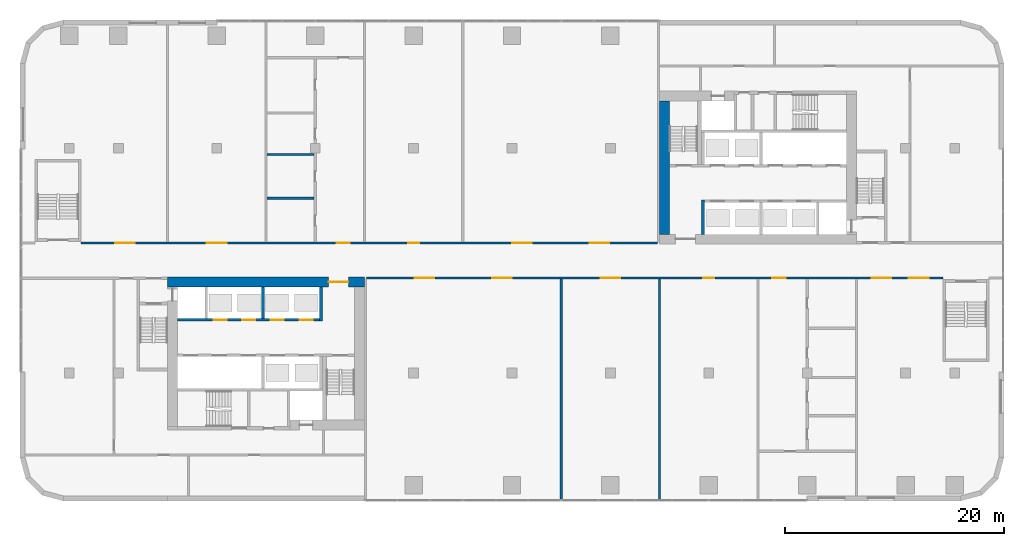
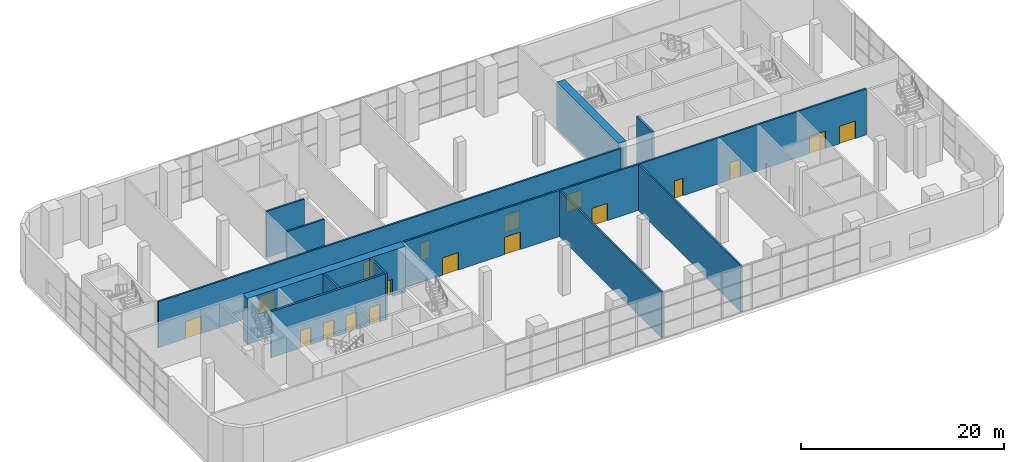
# One storey, part 13 of 27: 18 doors, 12 walls, 18 openings.
"""IFC4 building model written with IfcOpenShell, lengths in metres."""

from ifc_helpers import new_model, si_unit, direction, frame, frame_2d, origin, place, context, subcontext, project, spatial, rectangle, extrude, material, layer, layer_set, type_object, element, fill, save


model = new_model("IFC4")

# Units and contexts
model_context = context("Model", 3, precision=1e-05, world=origin(), true_north=direction((0.0, 1.0)))
body_context = subcontext(model_context, "Body", "Model", "MODEL_VIEW")
ifc_project = project(units=[si_unit("LENGTHUNIT", "METRE"), si_unit("AREAUNIT", "SQUARE_METRE"), si_unit("VOLUMEUNIT", "CUBIC_METRE"), si_unit("PLANEANGLEUNIT", "RADIAN"), si_unit("MASSUNIT", "GRAM", prefix="KILO")], contexts=[model_context])

# Site, building, storey
site_placement = place(None, origin())
site = spatial("IfcSite", under=ifc_project, at=site_placement, CompositionType="ELEMENT")
building_placement = place(site_placement, origin())
building = spatial("IfcBuilding", under=site, at=building_placement, Name="Kajstack Hotel Tower", CompositionType="ELEMENT")
storey_placement = place(building_placement, frame((0.0, 0.0, 11.0)))
storey = spatial("IfcBuildingStorey", under=building, at=storey_placement, Name="L01", CompositionType="ELEMENT", Elevation=11.0)

# Wall, opening, door
ifc_material_1 = material(Name="Concrete C60/75", Category="concrete")
ifc_layer_1 = layer(ifc_material_1, 0.89990234375)
ifc_layer_set_1 = layer_set([ifc_layer_1], Name="Core wall 900")
wall_type_1 = type_object("IfcWallType", Name="Core wall 900", PredefinedType="SHEAR", material=ifc_layer_set_1)
wall_1_placement = place(storey_placement, frame((-31.5, -1.949951171875, 0.0), z_axis=(0.0, 0.0, 1.0), x_axis=(1.0, 0.0, 0.0)))
wall_1 = element("IfcWall", 1, at=wall_1_placement, inside=storey, type_object=wall_type_1, Name="Core wall W RN", PredefinedType="SHEAR", context=body_context, shape_type="SweptSolid", body=[
    extrude(rectangle(XDim=18.0, YDim=0.89990234375, at=frame_2d((9.0, 0.0))), origin(), (0.0, 0.0, 1.0), 5.550048828125),
])
opening_1_placement = place(wall_1_placement, frame((14.72509765625, 0.0, 0.0)))
opening_1 = element("IfcOpeningElement", 2, at=opening_1_placement, cuts=wall_1, Name="Opening 01W12", PredefinedType="OPENING", context=body_context, shape_type="SweptSolid", body=[
    extrude(rectangle(XDim=1.800048828125, YDim=2.10009765625, at=frame_2d((0.89990234375, 1.050048828125))), frame((0.0, 0.4599609375, 0.0), z_axis=(0.0, -1.0, 0.0), x_axis=(1.0, 0.0, 0.0)), (0.0, 0.0, 1.0), 0.919921875),
])
ifc_material_2 = material(Name="Glazed steel frame, fire-rated glass", Category="steel")
door_type_1 = type_object("IfcDoorType", Name="Lobby double door 1800", OperationType="DOUBLE_DOOR_DOUBLE_SWING", PredefinedType="DOOR", material=ifc_material_2)
door_1_placement = place(opening_1_placement, origin())
door_1 = element("IfcDoor", 3, at=door_1_placement, inside=storey, type_object=door_type_1, Name="Door 01W12", OperationType="DOUBLE_DOOR_DOUBLE_SWING", OverallHeight=2.10009765625, OverallWidth=1.800048828125, PredefinedType="DOOR", context=body_context, shape_type="SweptSolid", body=[
    extrude(rectangle(XDim=1.800048828125, YDim=2.10009765625, at=frame_2d((0.89990234375, 1.050048828125))), frame((0.0, 0.02490234375, 0.0), z_axis=(0.0, -1.0, 0.0), x_axis=(1.0, 0.0, 0.0)), (0.0, 0.0, 1.0), 0.050048828125),
])
fill(opening_1, door_1)

# Walls
wall_2_placement = place(storey_placement, frame((13.949951171875, 2.39990234375, 0.0), z_axis=(0.0, 0.0, 1.0), x_axis=(0.0, 1.0, 0.0)))
element("IfcWall", 4, at=wall_2_placement, inside=storey, type_object=wall_type_1, Name="Core wall E RE", PredefinedType="SHEAR", context=body_context, shape_type="SweptSolid", body=[
    extrude(rectangle(XDim=12.2001953125, YDim=0.89990234375, at=frame_2d((6.10009765625, 0.0))), origin(), (0.0, 0.0, 1.0), 5.550048828125),
])
ifc_material_3 = material(Name="Concrete C50/60", Category="concrete")
ifc_layer_2 = layer(ifc_material_3, 0.300048828125)
ifc_layer_set_2 = layer_set([ifc_layer_2], Name="Hoistway divider wall 300")
wall_type_2 = type_object("IfcWallType", Name="Hoistway divider wall 300", PredefinedType="SHEAR", material=ifc_layer_set_2)
wall_3_placement = place(storey_placement, frame((-22.77490234375, -5.300048828125, 0.0), z_axis=(0.0, 0.0, 1.0), x_axis=(0.0, 1.0, 0.0)))
element("IfcWall", 5, at=wall_3_placement, inside=storey, type_object=wall_type_2, Name="Core wall W AP2", PredefinedType="SHEAR", context=body_context, shape_type="SweptSolid", body=[
    extrude(rectangle(XDim=2.900146484375, YDim=0.25, at=frame_2d((1.4501953125, 0.0))), origin(), (0.0, 0.0, 1.0), 5.550048828125),
])
ifc_material_4 = material(Name="Gypsum board on steel studs, mineral wool", Category="steel")
ifc_layer_3 = layer(ifc_material_4, 0.199951171875)
ifc_layer_set_3 = layer_set([ifc_layer_3], Name="Public partition 200")
wall_type_3 = type_object("IfcWallType", Name="Public partition 200", PredefinedType="PARTITIONING", material=ifc_layer_set_3)
for number, where, z_axis, x_axis, name in (
    (6, (-22.39990234375, 5.699951171875, 0.0), (0.0, 0.0, 1.0), (1.0, 0.0, 0.0), "Partition C2wP0"),
    (7, (-22.39990234375, 9.699951171875, 0.0), (0.0, 0.0, 1.0), (1.0, 0.0, 0.0), "Partition C2wP1"),
):
    element("IfcWall", number, at=place(storey_placement, frame(where, z_axis=z_axis, x_axis=x_axis)), inside=storey, type_object=wall_type_3, Name=name, PredefinedType="PARTITIONING", context=body_context, shape_type="SweptSolid", body=[
        extrude(rectangle(XDim=4.2998046875, YDim=0.199951171875, at=frame_2d((2.14990234375, 0.0))), origin(), (0.0, 0.0, 1.0), 5.550048828125),
    ])

# Wall, openings, doors
wall_4_placement = place(storey_placement, frame((-39.39990234375, 1.60009765625, 0.0), z_axis=(0.0, 0.0, 1.0), x_axis=(1.0, 0.0, 0.0)))
wall_4 = element("IfcWall", 8, at=wall_4_placement, inside=storey, type_object=wall_type_3, Name="Partition FW", PredefinedType="PARTITIONING", context=body_context, shape_type="SweptSolid", body=[
    extrude(rectangle(XDim=52.699951171875, YDim=0.199951171875, at=frame_2d((26.35009765625, 0.0))), origin(), (0.0, 0.0, 1.0), 5.550048828125),
])
opening_2_placement = place(wall_4_placement, frame((46.489990234375, 0.0, 0.0)))
opening_2 = element("IfcOpeningElement", 9, at=opening_2_placement, cuts=wall_4, Name="Opening 01P01", PredefinedType="OPENING", context=body_context, shape_type="SweptSolid", body=[
    extrude(rectangle(XDim=1.800048828125, YDim=2.10009765625, at=frame_2d((0.89990234375, 1.050048828125))), frame((0.0, 0.10986328125, 0.0), z_axis=(0.0, -1.0, 0.0), x_axis=(1.0, 0.0, 0.0)), (0.0, 0.0, 1.0), 0.219970703125),
])
opening_3_placement = place(wall_4_placement, frame((39.409912109375, 0.0, 0.0)))
opening_3 = element("IfcOpeningElement", 10, at=opening_3_placement, cuts=wall_4, Name="Opening 01P02", PredefinedType="OPENING", context=body_context, shape_type="SweptSolid", body=[
    extrude(rectangle(XDim=1.800048828125, YDim=2.10009765625, at=frame_2d((0.89990234375, 1.050048828125))), frame((0.0, 0.10986328125, 0.0), z_axis=(0.0, -1.0, 0.0), x_axis=(1.0, 0.0, 0.0)), (0.0, 0.0, 1.0), 0.219970703125),
])
opening_4_placement = place(wall_4_placement, frame((29.89990234375, 0.0, 0.0)))
opening_4 = element("IfcOpeningElement", 11, at=opening_4_placement, cuts=wall_4, Name="Opening 01P03", PredefinedType="OPENING", context=body_context, shape_type="SweptSolid", body=[
    extrude(rectangle(XDim=1.0, YDim=2.10009765625, at=frame_2d((0.5, 1.050048828125))), frame((0.0, 0.10986328125, 0.0), z_axis=(0.0, -1.0, 0.0), x_axis=(1.0, 0.0, 0.0)), (0.0, 0.0, 1.0), 0.219970703125),
])
opening_5_placement = place(wall_4_placement, frame((23.375, 0.0, 0.0)))
opening_5 = element("IfcOpeningElement", 12, at=opening_5_placement, cuts=wall_4, Name="Opening 01P04", PredefinedType="OPENING", context=body_context, shape_type="SweptSolid", body=[
    extrude(rectangle(XDim=1.199951171875, YDim=2.10009765625, at=frame_2d((0.60009765625, 1.050048828125))), frame((0.0, 0.10986328125, 0.0), z_axis=(0.0, -1.0, 0.0), x_axis=(1.0, 0.0, 0.0)), (0.0, 0.0, 1.0), 0.219970703125),
])
opening_6_placement = place(wall_4_placement, frame((11.5, 0.0, 0.0)))
opening_6 = element("IfcOpeningElement", 13, at=opening_6_placement, cuts=wall_4, Name="Opening 01P10", PredefinedType="OPENING", context=body_context, shape_type="SweptSolid", body=[
    extrude(rectangle(XDim=1.800048828125, YDim=2.10009765625, at=frame_2d((0.89990234375, 1.050048828125))), frame((0.0, 0.10986328125, 0.0), z_axis=(0.0, -1.0, 0.0), x_axis=(1.0, 0.0, 0.0)), (0.0, 0.0, 1.0), 0.219970703125),
])
opening_7_placement = place(wall_4_placement, frame((3.10009765625, 0.0, 0.0)))
opening_7 = element("IfcOpeningElement", 14, at=opening_7_placement, cuts=wall_4, Name="Opening 01P11", PredefinedType="OPENING", context=body_context, shape_type="SweptSolid", body=[
    extrude(rectangle(XDim=1.800048828125, YDim=2.10009765625, at=frame_2d((0.89990234375, 1.050048828125))), frame((0.0, 0.10986328125, 0.0), z_axis=(0.0, -1.0, 0.0), x_axis=(1.0, 0.0, 0.0)), (0.0, 0.0, 1.0), 0.219970703125),
])
ifc_material_5 = material(Name="Timber leaf, fire-rated", Category="wood")
door_type_2 = type_object("IfcDoorType", Name="Public corridor door 1200", OperationType="SINGLE_SWING_LEFT", PredefinedType="DOOR", material=ifc_material_5)
door_2_placement = place(opening_5_placement, origin())
door_2 = element("IfcDoor", 15, at=door_2_placement, inside=storey, type_object=door_type_2, Name="Door 01P04", OperationType="SINGLE_SWING_LEFT", OverallHeight=2.10009765625, OverallWidth=1.199951171875, PredefinedType="DOOR", context=body_context, shape_type="SweptSolid", body=[
    extrude(rectangle(XDim=1.199951171875, YDim=2.10009765625, at=frame_2d((0.60009765625, 1.050048828125))), frame((0.0, 0.02490234375, 0.0), z_axis=(0.0, -1.0, 0.0), x_axis=(1.0, 0.0, 0.0)), (0.0, 0.0, 1.0), 0.050048828125),
])
fill(opening_5, door_2)
ifc_material_6 = material(Name="Glazed timber frame, fire-rated glass", Category="wood")
door_type_3 = type_object("IfcDoorType", Name="Public double door 1800", OperationType="DOUBLE_DOOR_DOUBLE_SWING", PredefinedType="DOOR", material=ifc_material_6)
door_3_placement = place(opening_2_placement, origin())
door_3 = element("IfcDoor", 16, at=door_3_placement, inside=storey, type_object=door_type_3, Name="Door 01P01", OperationType="DOUBLE_DOOR_DOUBLE_SWING", OverallHeight=2.10009765625, OverallWidth=1.800048828125, PredefinedType="DOOR", context=body_context, shape_type="SweptSolid", body=[
    extrude(rectangle(XDim=1.800048828125, YDim=2.10009765625, at=frame_2d((0.89990234375, 1.050048828125))), frame((0.0, 0.02490234375, 0.0), z_axis=(0.0, -1.0, 0.0), x_axis=(1.0, 0.0, 0.0)), (0.0, 0.0, 1.0), 0.050048828125),
])
fill(opening_2, door_3)
door_4_placement = place(opening_3_placement, origin())
door_4 = element("IfcDoor", 17, at=door_4_placement, inside=storey, type_object=door_type_3, Name="Door 01P02", OperationType="DOUBLE_DOOR_DOUBLE_SWING", OverallHeight=2.10009765625, OverallWidth=1.800048828125, PredefinedType="DOOR", context=body_context, shape_type="SweptSolid", body=[
    extrude(rectangle(XDim=1.800048828125, YDim=2.10009765625, at=frame_2d((0.89990234375, 1.050048828125))), frame((0.0, 0.02490234375, 0.0), z_axis=(0.0, -1.0, 0.0), x_axis=(1.0, 0.0, 0.0)), (0.0, 0.0, 1.0), 0.050048828125),
])
fill(opening_3, door_4)
door_5_placement = place(opening_6_placement, origin())
door_5 = element("IfcDoor", 18, at=door_5_placement, inside=storey, type_object=door_type_3, Name="Door 01P10", OperationType="DOUBLE_DOOR_DOUBLE_SWING", OverallHeight=2.10009765625, OverallWidth=1.800048828125, PredefinedType="DOOR", context=body_context, shape_type="SweptSolid", body=[
    extrude(rectangle(XDim=1.800048828125, YDim=2.10009765625, at=frame_2d((0.89990234375, 1.050048828125))), frame((0.0, 0.02490234375, 0.0), z_axis=(0.0, -1.0, 0.0), x_axis=(1.0, 0.0, 0.0)), (0.0, 0.0, 1.0), 0.050048828125),
])
fill(opening_6, door_5)
door_6_placement = place(opening_7_placement, origin())
door_6 = element("IfcDoor", 19, at=door_6_placement, inside=storey, type_object=door_type_3, Name="Door 01P11", OperationType="DOUBLE_DOOR_DOUBLE_SWING", OverallHeight=2.10009765625, OverallWidth=1.800048828125, PredefinedType="DOOR", context=body_context, shape_type="SweptSolid", body=[
    extrude(rectangle(XDim=1.800048828125, YDim=2.10009765625, at=frame_2d((0.89990234375, 1.050048828125))), frame((0.0, 0.02490234375, 0.0), z_axis=(0.0, -1.0, 0.0), x_axis=(1.0, 0.0, 0.0)), (0.0, 0.0, 1.0), 0.050048828125),
])
fill(opening_7, door_6)
ifc_material_7 = material(Name="Timber leaf", Category="wood")
door_type_4 = type_object("IfcDoorType", Name="Public room door 1000", OperationType="SINGLE_SWING_LEFT", PredefinedType="DOOR", material=ifc_material_7)
door_7_placement = place(opening_4_placement, origin())
door_7 = element("IfcDoor", 20, at=door_7_placement, inside=storey, type_object=door_type_4, Name="Door 01P03", OperationType="SINGLE_SWING_LEFT", OverallHeight=2.10009765625, OverallWidth=1.0, PredefinedType="DOOR", context=body_context, shape_type="SweptSolid", body=[
    extrude(rectangle(XDim=1.0, YDim=2.10009765625, at=frame_2d((0.5, 1.050048828125))), frame((0.0, 0.02490234375, 0.0), z_axis=(0.0, -1.0, 0.0), x_axis=(1.0, 0.0, 0.0)), (0.0, 0.0, 1.0), 0.050048828125),
])
fill(opening_4, door_7)

# Walls
for number, where, z_axis, x_axis, name in (
    (21, (4.5, -21.85009765625, 0.0), (0.0, 0.0, 1.0), (0.0, 1.0, 0.0), "Partition SPX0"),
    (22, (13.5, -21.85009765625, 0.0), (0.0, 0.0, 1.0), (0.0, 1.0, 0.0), "Partition SPX1"),
):
    element("IfcWall", number, at=place(storey_placement, frame(where, z_axis=z_axis, x_axis=x_axis)), inside=storey, type_object=wall_type_3, Name=name, PredefinedType="PARTITIONING", context=body_context, shape_type="SweptSolid", body=[
        extrude(rectangle(XDim=20.150146484375, YDim=0.199951171875, at=frame_2d((10.0751953125, 0.0))), origin(), (0.0, 0.0, 1.0), 5.550048828125),
    ])

# Wall, openings, doors
wall_5_placement = place(storey_placement, frame((-13.300048828125, -1.60009765625, 0.0), z_axis=(0.0, 0.0, 1.0), x_axis=(1.0, 0.0, 0.0)))
wall_5 = element("IfcWall", 23, at=wall_5_placement, inside=storey, type_object=wall_type_3, Name="Partition SFW", PredefinedType="PARTITIONING", context=body_context, shape_type="SweptSolid", body=[
    extrude(rectangle(XDim=52.699951171875, YDim=0.199951171875, at=frame_2d((26.35009765625, 0.0))), origin(), (0.0, 0.0, 1.0), 5.550048828125),
])
opening_8_placement = place(wall_5_placement, frame((4.409912109375, 0.0, 0.0)))
opening_8 = element("IfcOpeningElement", 24, at=opening_8_placement, cuts=wall_5, Name="Opening 01P12", PredefinedType="OPENING", context=body_context, shape_type="SweptSolid", body=[
    extrude(rectangle(XDim=1.800048828125, YDim=2.10009765625, at=frame_2d((0.89990234375, 1.050048828125))), frame((0.0, 0.10986328125, 0.0), z_axis=(0.0, -1.0, 0.0), x_axis=(1.0, 0.0, 0.0)), (0.0, 0.0, 1.0), 0.219970703125),
])
opening_9_placement = place(wall_5_placement, frame((11.489990234375, 0.0, 0.0)))
opening_9 = element("IfcOpeningElement", 25, at=opening_9_placement, cuts=wall_5, Name="Opening 01P13", PredefinedType="OPENING", context=body_context, shape_type="SweptSolid", body=[
    extrude(rectangle(XDim=1.800048828125, YDim=2.10009765625, at=frame_2d((0.89990234375, 1.050048828125))), frame((0.0, 0.10986328125, 0.0), z_axis=(0.0, -1.0, 0.0), x_axis=(1.0, 0.0, 0.0)), (0.0, 0.0, 1.0), 0.219970703125),
])
opening_10_placement = place(wall_5_placement, frame((21.39990234375, 0.0, 0.0)))
opening_10 = element("IfcOpeningElement", 26, at=opening_10_placement, cuts=wall_5, Name="Opening 01P14", PredefinedType="OPENING", context=body_context, shape_type="SweptSolid", body=[
    extrude(rectangle(XDim=1.800048828125, YDim=2.10009765625, at=frame_2d((0.89990234375, 1.050048828125))), frame((0.0, 0.10986328125, 0.0), z_axis=(0.0, -1.0, 0.0), x_axis=(1.0, 0.0, 0.0)), (0.0, 0.0, 1.0), 0.219970703125),
])
opening_11_placement = place(wall_5_placement, frame((30.800048828125, 0.0, 0.0)))
opening_11 = element("IfcOpeningElement", 27, at=opening_11_placement, cuts=wall_5, Name="Opening 01P15", PredefinedType="OPENING", context=body_context, shape_type="SweptSolid", body=[
    extrude(rectangle(XDim=1.0, YDim=2.10009765625, at=frame_2d((0.5, 1.050048828125))), frame((0.0, 0.10986328125, 0.0), z_axis=(0.0, -1.0, 0.0), x_axis=(1.0, 0.0, 0.0)), (0.0, 0.0, 1.0), 0.219970703125),
])
opening_12_placement = place(wall_5_placement, frame((37.125, 0.0, 0.0)))
opening_12 = element("IfcOpeningElement", 28, at=opening_12_placement, cuts=wall_5, Name="Opening 01P16", PredefinedType="OPENING", context=body_context, shape_type="SweptSolid", body=[
    extrude(rectangle(XDim=1.199951171875, YDim=2.10009765625, at=frame_2d((0.60009765625, 1.050048828125))), frame((0.0, 0.10986328125, 0.0), z_axis=(0.0, -1.0, 0.0), x_axis=(1.0, 0.0, 0.0)), (0.0, 0.0, 1.0), 0.219970703125),
])
opening_13_placement = place(wall_5_placement, frame((46.199951171875, 0.0, 0.0)))
opening_13 = element("IfcOpeningElement", 29, at=opening_13_placement, cuts=wall_5, Name="Opening 01P22", PredefinedType="OPENING", context=body_context, shape_type="SweptSolid", body=[
    extrude(rectangle(XDim=1.800048828125, YDim=2.10009765625, at=frame_2d((0.89990234375, 1.050048828125))), frame((0.0, 0.10986328125, 0.0), z_axis=(0.0, -1.0, 0.0), x_axis=(1.0, 0.0, 0.0)), (0.0, 0.0, 1.0), 0.219970703125),
])
opening_14_placement = place(wall_5_placement, frame((49.60009765625, 0.0, 0.0)))
opening_14 = element("IfcOpeningElement", 30, at=opening_14_placement, cuts=wall_5, Name="Opening 01P23", PredefinedType="OPENING", context=body_context, shape_type="SweptSolid", body=[
    extrude(rectangle(XDim=1.800048828125, YDim=2.10009765625, at=frame_2d((0.89990234375, 1.050048828125))), frame((0.0, 0.10986328125, 0.0), z_axis=(0.0, -1.0, 0.0), x_axis=(1.0, 0.0, 0.0)), (0.0, 0.0, 1.0), 0.219970703125),
])
door_8_placement = place(opening_12_placement, origin())
door_8 = element("IfcDoor", 31, at=door_8_placement, inside=storey, type_object=door_type_2, Name="Door 01P16", OperationType="SINGLE_SWING_RIGHT", OverallHeight=2.10009765625, OverallWidth=1.199951171875, PredefinedType="DOOR", context=body_context, shape_type="SweptSolid", body=[
    extrude(rectangle(XDim=1.199951171875, YDim=2.10009765625, at=frame_2d((0.60009765625, 1.050048828125))), frame((0.0, 0.02490234375, 0.0), z_axis=(0.0, -1.0, 0.0), x_axis=(1.0, 0.0, 0.0)), (0.0, 0.0, 1.0), 0.050048828125),
])
fill(opening_12, door_8)
door_9_placement = place(opening_8_placement, origin())
door_9 = element("IfcDoor", 32, at=door_9_placement, inside=storey, type_object=door_type_3, Name="Door 01P12", OperationType="DOUBLE_DOOR_DOUBLE_SWING", OverallHeight=2.10009765625, OverallWidth=1.800048828125, PredefinedType="DOOR", context=body_context, shape_type="SweptSolid", body=[
    extrude(rectangle(XDim=1.800048828125, YDim=2.10009765625, at=frame_2d((0.89990234375, 1.050048828125))), frame((0.0, 0.02490234375, 0.0), z_axis=(0.0, -1.0, 0.0), x_axis=(1.0, 0.0, 0.0)), (0.0, 0.0, 1.0), 0.050048828125),
])
fill(opening_8, door_9)
door_10_placement = place(opening_9_placement, origin())
door_10 = element("IfcDoor", 33, at=door_10_placement, inside=storey, type_object=door_type_3, Name="Door 01P13", OperationType="DOUBLE_DOOR_DOUBLE_SWING", OverallHeight=2.10009765625, OverallWidth=1.800048828125, PredefinedType="DOOR", context=body_context, shape_type="SweptSolid", body=[
    extrude(rectangle(XDim=1.800048828125, YDim=2.10009765625, at=frame_2d((0.89990234375, 1.050048828125))), frame((0.0, 0.02490234375, 0.0), z_axis=(0.0, -1.0, 0.0), x_axis=(1.0, 0.0, 0.0)), (0.0, 0.0, 1.0), 0.050048828125),
])
fill(opening_9, door_10)
door_11_placement = place(opening_10_placement, origin())
door_11 = element("IfcDoor", 34, at=door_11_placement, inside=storey, type_object=door_type_3, Name="Door 01P14", OperationType="DOUBLE_DOOR_DOUBLE_SWING", OverallHeight=2.10009765625, OverallWidth=1.800048828125, PredefinedType="DOOR", context=body_context, shape_type="SweptSolid", body=[
    extrude(rectangle(XDim=1.800048828125, YDim=2.10009765625, at=frame_2d((0.89990234375, 1.050048828125))), frame((0.0, 0.02490234375, 0.0), z_axis=(0.0, -1.0, 0.0), x_axis=(1.0, 0.0, 0.0)), (0.0, 0.0, 1.0), 0.050048828125),
])
fill(opening_10, door_11)
door_12_placement = place(opening_13_placement, origin())
door_12 = element("IfcDoor", 35, at=door_12_placement, inside=storey, type_object=door_type_3, Name="Door 01P22", OperationType="DOUBLE_DOOR_DOUBLE_SWING", OverallHeight=2.10009765625, OverallWidth=1.800048828125, PredefinedType="DOOR", context=body_context, shape_type="SweptSolid", body=[
    extrude(rectangle(XDim=1.800048828125, YDim=2.10009765625, at=frame_2d((0.89990234375, 1.050048828125))), frame((0.0, 0.02490234375, 0.0), z_axis=(0.0, -1.0, 0.0), x_axis=(1.0, 0.0, 0.0)), (0.0, 0.0, 1.0), 0.050048828125),
])
fill(opening_13, door_12)
door_13_placement = place(opening_14_placement, origin())
door_13 = element("IfcDoor", 36, at=door_13_placement, inside=storey, type_object=door_type_3, Name="Door 01P23", OperationType="DOUBLE_DOOR_DOUBLE_SWING", OverallHeight=2.10009765625, OverallWidth=1.800048828125, PredefinedType="DOOR", context=body_context, shape_type="SweptSolid", body=[
    extrude(rectangle(XDim=1.800048828125, YDim=2.10009765625, at=frame_2d((0.89990234375, 1.050048828125))), frame((0.0, 0.02490234375, 0.0), z_axis=(0.0, -1.0, 0.0), x_axis=(1.0, 0.0, 0.0)), (0.0, 0.0, 1.0), 0.050048828125),
])
fill(opening_14, door_13)
door_14_placement = place(opening_11_placement, origin())
door_14 = element("IfcDoor", 37, at=door_14_placement, inside=storey, type_object=door_type_4, Name="Door 01P15", OperationType="SINGLE_SWING_RIGHT", OverallHeight=2.10009765625, OverallWidth=1.0, PredefinedType="DOOR", context=body_context, shape_type="SweptSolid", body=[
    extrude(rectangle(XDim=1.0, YDim=2.10009765625, at=frame_2d((0.5, 1.050048828125))), frame((0.0, 0.02490234375, 0.0), z_axis=(0.0, -1.0, 0.0), x_axis=(1.0, 0.0, 0.0)), (0.0, 0.0, 1.0), 0.050048828125),
])
fill(opening_11, door_14)

ifc_layer_4 = layer(ifc_material_3, 0.25)
ifc_layer_set_4 = layer_set([ifc_layer_4], Name="Shaft wall 250")
wall_type_4 = type_object("IfcWallType", Name="Shaft wall 250", PredefinedType="SHEAR", material=ifc_layer_set_4)
wall_6_placement = place(storey_placement, frame((-30.60009765625, -5.425048828125, 0.0), z_axis=(0.0, 0.0, 1.0), x_axis=(1.0, 0.0, 0.0)))
wall_6 = element("IfcWall", 38, at=wall_6_placement, inside=storey, type_object=wall_type_4, Name="Core wall W FA", PredefinedType="SHEAR", context=body_context, shape_type="SweptSolid", body=[
    extrude(rectangle(XDim=13.0, YDim=0.25, at=frame_2d((6.5, 0.0))), origin(), (0.0, 0.0, 1.0), 5.550048828125),
])
opening_15_placement = place(wall_6_placement, frame((3.324951171875, 0.0, 0.0)))
opening_15 = element("IfcOpeningElement", 39, at=opening_15_placement, cuts=wall_6, Name="Opening LD-MR3", PredefinedType="OPENING", context=body_context, shape_type="SweptSolid", body=[
    extrude(rectangle(XDim=1.199951171875, YDim=2.10009765625, at=frame_2d((0.60009765625, 1.050048828125))), frame((0.0, 0.135009765625, 0.0), z_axis=(0.0, -1.0, 0.0), x_axis=(1.0, 0.0, 0.0)), (0.0, 0.0, 1.0), 0.27001953125),
])
opening_16_placement = place(wall_6_placement, frame((5.925048828125, 0.0, 0.0)))
opening_16 = element("IfcOpeningElement", 40, at=opening_16_placement, cuts=wall_6, Name="Opening LD-MR4", PredefinedType="OPENING", context=body_context, shape_type="SweptSolid", body=[
    extrude(rectangle(XDim=1.199951171875, YDim=2.10009765625, at=frame_2d((0.60009765625, 1.050048828125))), frame((0.0, 0.135009765625, 0.0), z_axis=(0.0, -1.0, 0.0), x_axis=(1.0, 0.0, 0.0)), (0.0, 0.0, 1.0), 0.27001953125),
])
opening_17_placement = place(wall_6_placement, frame((8.52490234375, 0.0, 0.0)))
opening_17 = element("IfcOpeningElement", 41, at=opening_17_placement, cuts=wall_6, Name="Opening LD-HR1", PredefinedType="OPENING", context=body_context, shape_type="SweptSolid", body=[
    extrude(rectangle(XDim=1.199951171875, YDim=2.10009765625, at=frame_2d((0.60009765625, 1.050048828125))), frame((0.0, 0.135009765625, 0.0), z_axis=(0.0, -1.0, 0.0), x_axis=(1.0, 0.0, 0.0)), (0.0, 0.0, 1.0), 0.27001953125),
])
opening_18_placement = place(wall_6_placement, frame((11.175048828125, 0.0, 0.0)))
opening_18 = element("IfcOpeningElement", 42, at=opening_18_placement, cuts=wall_6, Name="Opening LD-HR2", PredefinedType="OPENING", context=body_context, shape_type="SweptSolid", body=[
    extrude(rectangle(XDim=1.199951171875, YDim=2.10009765625, at=frame_2d((0.60009765625, 1.050048828125))), frame((0.0, 0.135009765625, 0.0), z_axis=(0.0, -1.0, 0.0), x_axis=(1.0, 0.0, 0.0)), (0.0, 0.0, 1.0), 0.27001953125),
])
ifc_material_8 = material(Name="Stainless steel", Category="steel")
door_type_5 = type_object("IfcDoorType", Name="Lift landing door 1200", OperationType="SLIDING_TO_LEFT", PredefinedType="DOOR", material=ifc_material_8)
door_15_placement = place(opening_15_placement, origin())
door_15 = element("IfcDoor", 43, at=door_15_placement, inside=storey, type_object=door_type_5, Name="Landing door MR3", OperationType="SLIDING_TO_RIGHT", OverallHeight=2.10009765625, OverallWidth=1.199951171875, PredefinedType="DOOR", context=body_context, shape_type="SweptSolid", body=[
    extrude(rectangle(XDim=1.199951171875, YDim=2.10009765625, at=frame_2d((0.60009765625, 1.050048828125))), frame((0.0, 0.02490234375, 0.0), z_axis=(0.0, -1.0, 0.0), x_axis=(1.0, 0.0, 0.0)), (0.0, 0.0, 1.0), 0.050048828125),
])
fill(opening_15, door_15)
door_16_placement = place(opening_16_placement, origin())
door_16 = element("IfcDoor", 44, at=door_16_placement, inside=storey, type_object=door_type_5, Name="Landing door MR4", OperationType="SLIDING_TO_RIGHT", OverallHeight=2.10009765625, OverallWidth=1.199951171875, PredefinedType="DOOR", context=body_context, shape_type="SweptSolid", body=[
    extrude(rectangle(XDim=1.199951171875, YDim=2.10009765625, at=frame_2d((0.60009765625, 1.050048828125))), frame((0.0, 0.02490234375, 0.0), z_axis=(0.0, -1.0, 0.0), x_axis=(1.0, 0.0, 0.0)), (0.0, 0.0, 1.0), 0.050048828125),
])
fill(opening_16, door_16)
door_17_placement = place(opening_17_placement, origin())
door_17 = element("IfcDoor", 45, at=door_17_placement, inside=storey, type_object=door_type_5, Name="Landing door HR1", OperationType="SLIDING_TO_LEFT", OverallHeight=2.10009765625, OverallWidth=1.199951171875, PredefinedType="DOOR", context=body_context, shape_type="SweptSolid", body=[
    extrude(rectangle(XDim=1.199951171875, YDim=2.10009765625, at=frame_2d((0.60009765625, 1.050048828125))), frame((0.0, 0.02490234375, 0.0), z_axis=(0.0, -1.0, 0.0), x_axis=(1.0, 0.0, 0.0)), (0.0, 0.0, 1.0), 0.050048828125),
])
fill(opening_17, door_17)
door_18_placement = place(opening_18_placement, origin())
door_18 = element("IfcDoor", 46, at=door_18_placement, inside=storey, type_object=door_type_5, Name="Landing door HR2", OperationType="SLIDING_TO_RIGHT", OverallHeight=2.10009765625, OverallWidth=1.199951171875, PredefinedType="DOOR", context=body_context, shape_type="SweptSolid", body=[
    extrude(rectangle(XDim=1.199951171875, YDim=2.10009765625, at=frame_2d((0.60009765625, 1.050048828125))), frame((0.0, 0.02490234375, 0.0), z_axis=(0.0, -1.0, 0.0), x_axis=(1.0, 0.0, 0.0)), (0.0, 0.0, 1.0), 0.050048828125),
])
fill(opening_18, door_18)

# Walls
for number, where, z_axis, x_axis, name in (
    (47, (-17.47509765625, -5.550048828125, 0.0), (0.0, 0.0, 1.0), (0.0, 1.0, 0.0), "Core wall W AE"),
    (48, (17.47509765625, 2.39990234375, 0.0), (0.0, 0.0, 1.0), (0.0, 1.0, 0.0), "Core wall E AE"),
):
    element("IfcWall", number, at=place(storey_placement, frame(where, z_axis=z_axis, x_axis=x_axis)), inside=storey, type_object=wall_type_4, Name=name, PredefinedType="SHEAR", context=body_context, shape_type="SweptSolid", body=[
        extrude(rectangle(XDim=3.150146484375, YDim=0.25, at=frame_2d((1.5751953125, 0.0))), origin(), (0.0, 0.0, 1.0), 5.550048828125),
    ])

save(model, "model.ifc")
